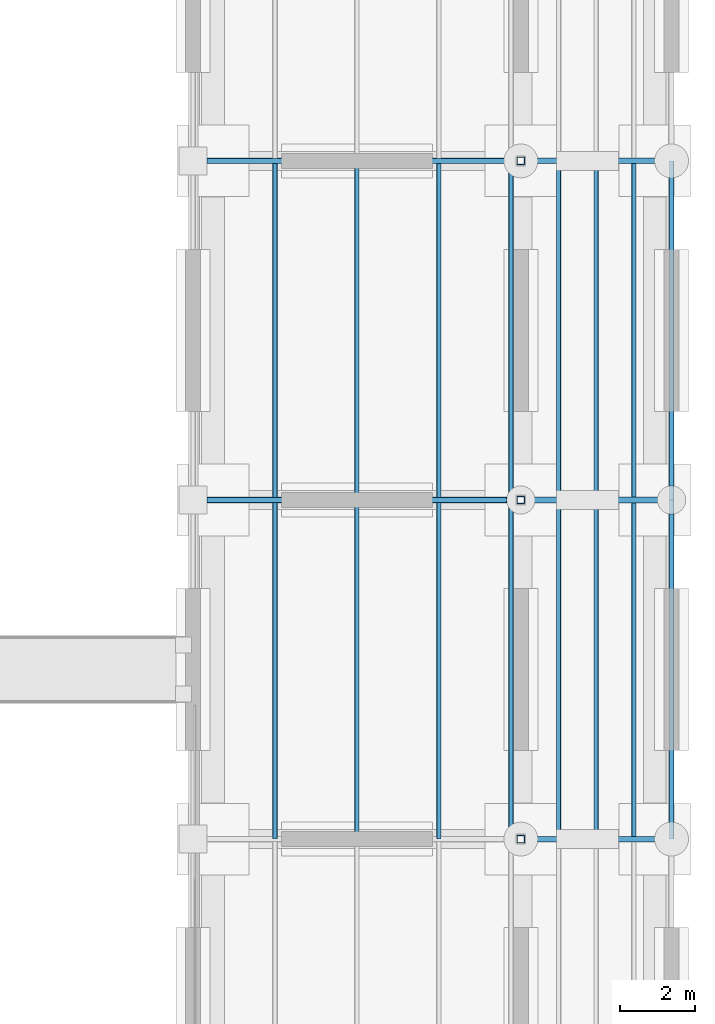
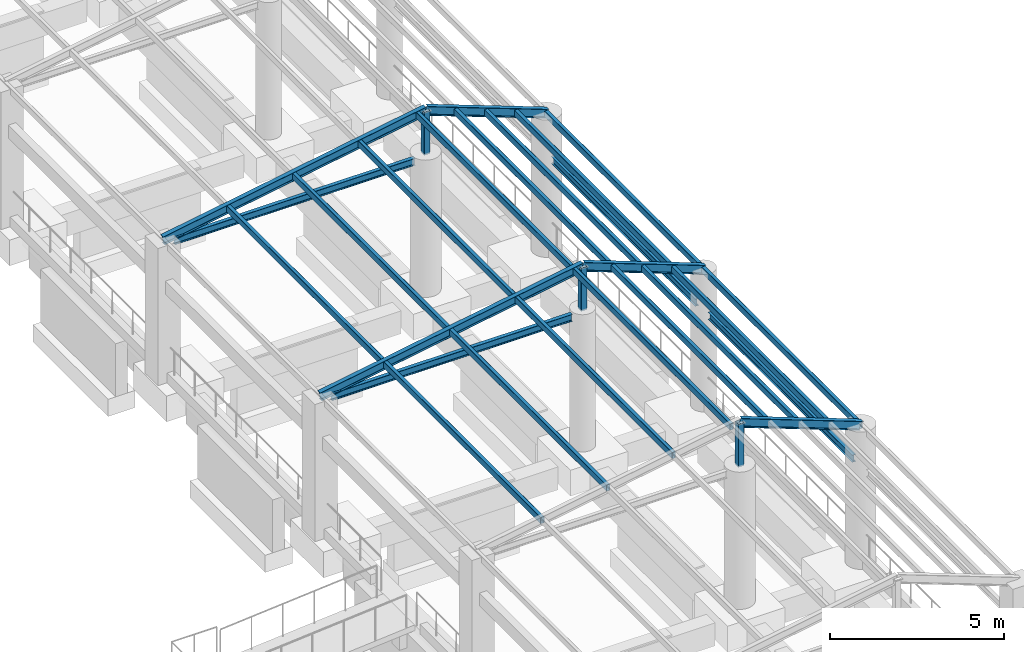
# One storey, part 59 of 111: 24 members, 4 beams.
"""IFC4 building model written with IfcOpenShell, lengths in metres."""

from ifc_helpers import new_model, si_unit, direction, frame, origin, origin_2d, place, context, subcontext, project, spatial, hollow_rectangle, i_section, extrude, material, material_profile, profile_set, type_object, element, save


model = new_model("IFC4")

# Units and contexts
model_context = context("Model", 3, precision=1e-05, world=origin(), true_north=direction((0.0, 1.0)))
body_context = subcontext(model_context, "Body", "Model", "MODEL_VIEW")
ifc_project = project(units=[si_unit("LENGTHUNIT", "METRE"), si_unit("AREAUNIT", "SQUARE_METRE"), si_unit("VOLUMEUNIT", "CUBIC_METRE"), si_unit("PLANEANGLEUNIT", "RADIAN"), si_unit("MASSUNIT", "GRAM", prefix="KILO")], contexts=[model_context])

# Site, building, storey
site_placement = place(None, origin())
site = spatial("IfcSite", under=ifc_project, at=site_placement, CompositionType="ELEMENT")
building_placement = place(site_placement, origin())
building = spatial("IfcBuilding", under=site, at=building_placement, Name="Canglan Escarpment Cableway Terminal", CompositionType="ELEMENT")
storey_placement = place(building_placement, frame((0.0, 0.0, 4.800048828125)))
storey = spatial("IfcBuildingStorey", under=building, at=storey_placement, Name="L01", CompositionType="ELEMENT", Elevation=4.800048828125)

# Beams
ifc_material = material(Name="Steel Q355B", Category="steel")
ifc_material_profile_1 = material_profile(ifc_material, i_section(OverallWidth=0.125, OverallDepth=0.25, WebThickness=0.006103515625, FlangeThickness=0.009033203125, FilletRadius=0.011962890625, at=origin_2d()), Name="HN 250x125x6x9")
ifc_profile_set_1 = profile_set([ifc_material_profile_1], Name="Steel Q355B")
beam_type_1 = type_object("IfcBeamType", Name="BM-CANOPY-HN250", PredefinedType="BEAM", material=ifc_profile_set_1)
for number, where, z_axis, x_axis, name in (
    (1, (167.675048828125, 52.0, 4.599853515625), (1.0, 0.0, 0.0), (0.0, 1.0, 0.0), "Colonnade tie beam RF-B3"),
    (2, (167.675048828125, 61.0, 4.599853515625), (1.0, 0.0, 0.0), (0.0, 1.0, 0.0), "Colonnade tie beam RF-B3"),
):
    element("IfcBeam", number, at=place(storey_placement, frame(where, z_axis=z_axis, x_axis=x_axis)), inside=storey, type_object=beam_type_1, Name=name, PredefinedType="BEAM", context=body_context, shape_type="SweptSolid", body=[
        extrude(i_section(OverallWidth=0.125, OverallDepth=0.25, WebThickness=0.006103515625, FlangeThickness=0.009033203125, FilletRadius=0.011962890625, at=origin_2d()), origin(), (0.0, 0.0, 1.0), 7.949951171875),
    ])
ifc_material_profile_2 = material_profile(ifc_material, i_section(OverallWidth=0.125, OverallDepth=0.25, WebThickness=0.006103515625, FlangeThickness=0.009033203125, FilletRadius=0.011962890625, at=origin_2d()), Name="HN 250x125x6x9")
ifc_profile_set_2 = profile_set([ifc_material_profile_2], Name="Steel Q355B")
beam_type_2 = type_object("IfcBeamType", Name="LN-HN250", PredefinedType="LINTEL", material=ifc_profile_set_2)
for number, where, z_axis, x_axis, name in (
    (3, (180.0, 43.3701171875, 3.349853515625), (0.0, 1.0, 0.0), (-1.0, 0.0, 0.0), "Classical colonnade architrave lintel beam"),
    (4, (180.0, 52.3701171875, 3.349853515625), (0.0, 1.0, 0.0), (-1.0, 0.0, 0.0), "Classical colonnade architrave lintel beam"),
):
    element("IfcBeam", number, at=place(storey_placement, frame(where, z_axis=z_axis, x_axis=x_axis)), inside=storey, type_object=beam_type_2, Name=name, PredefinedType="LINTEL", context=body_context, shape_type="SweptSolid", body=[
        extrude(i_section(OverallWidth=0.125, OverallDepth=0.25, WebThickness=0.006103515625, FlangeThickness=0.009033203125, FilletRadius=0.011962890625, at=origin_2d()), origin(), (0.0, 0.0, 1.0), 8.259765625),
    ])

# Members
ifc_material_profile_3 = material_profile(ifc_material, i_section(OverallWidth=0.14990234375, OverallDepth=0.300048828125, WebThickness=0.006591796875, FlangeThickness=0.009033203125, FilletRadius=0.012939453125, at=origin_2d()), Name="HN 300x150x6.5x9")
ifc_profile_set_3 = profile_set([ifc_material_profile_3], Name="Steel Q355B")
member_type_1 = type_object("IfcMemberType", Name="MB-COL-RAFT-HN300", PredefinedType="RAFTER", material=ifc_profile_set_3)
member_1_placement = place(storey_placement, frame((176.0, 43.0, 6.25), z_axis=(0.936329177569, 0.0, -0.351123441588), x_axis=(0.0, 1.0, 0.0)))
element("IfcMember", 5, at=member_1_placement, inside=storey, type_object=member_type_1, Name="Colonnade pitched rafter RF-R01", PredefinedType="RAFTER", context=body_context, shape_type="SweptSolid", body=[
    extrude(i_section(OverallWidth=0.14990234375, OverallDepth=0.300048828125, WebThickness=0.006591796875, FlangeThickness=0.009033203125, FilletRadius=0.012939453125, at=origin_2d()), origin(), (0.0, 0.0, 1.0), 4.27197265625),
])
member_2_placement = place(storey_placement, frame((167.300048828125, 52.0, 4.75), z_axis=(0.985459956077, 0.0, 0.169907842574), x_axis=(0.0, 1.0, 0.0)))
element("IfcMember", 6, at=member_2_placement, inside=storey, type_object=member_type_1, Name="Colonnade pitched rafter RF-R01", PredefinedType="RAFTER", context=body_context, shape_type="SweptSolid", body=[
    extrude(i_section(OverallWidth=0.14990234375, OverallDepth=0.300048828125, WebThickness=0.006591796875, FlangeThickness=0.009033203125, FilletRadius=0.012939453125, at=origin_2d()), origin(), (0.0, 0.0, 1.0), 8.828369140625),
])
member_3_placement = place(storey_placement, frame((176.0, 52.0, 6.25), z_axis=(0.936329177569, 0.0, -0.351123441588), x_axis=(0.0, 1.0, 0.0)))
element("IfcMember", 7, at=member_3_placement, inside=storey, type_object=member_type_1, Name="Colonnade pitched rafter RF-R01", PredefinedType="RAFTER", context=body_context, shape_type="SweptSolid", body=[
    extrude(i_section(OverallWidth=0.14990234375, OverallDepth=0.300048828125, WebThickness=0.006591796875, FlangeThickness=0.009033203125, FilletRadius=0.012939453125, at=origin_2d()), origin(), (0.0, 0.0, 1.0), 4.27197265625),
])
member_4_placement = place(storey_placement, frame((167.300048828125, 61.0, 4.75), z_axis=(0.985459956077, 0.0, 0.169907842574), x_axis=(0.0, 1.0, 0.0)))
element("IfcMember", 8, at=member_4_placement, inside=storey, type_object=member_type_1, Name="Colonnade pitched rafter RF-R01", PredefinedType="RAFTER", context=body_context, shape_type="SweptSolid", body=[
    extrude(i_section(OverallWidth=0.14990234375, OverallDepth=0.300048828125, WebThickness=0.006591796875, FlangeThickness=0.009033203125, FilletRadius=0.012939453125, at=origin_2d()), origin(), (0.0, 0.0, 1.0), 8.828369140625),
])
member_5_placement = place(storey_placement, frame((176.0, 61.0, 6.25), z_axis=(0.936329177569, 0.0, -0.351123441588), x_axis=(0.0, 1.0, 0.0)))
element("IfcMember", 9, at=member_5_placement, inside=storey, type_object=member_type_1, Name="Colonnade pitched rafter RF-R01", PredefinedType="RAFTER", context=body_context, shape_type="SweptSolid", body=[
    extrude(i_section(OverallWidth=0.14990234375, OverallDepth=0.300048828125, WebThickness=0.006591796875, FlangeThickness=0.009033203125, FilletRadius=0.012939453125, at=origin_2d()), origin(), (0.0, 0.0, 1.0), 4.27197265625),
])
ifc_material_profile_4 = material_profile(ifc_material, hollow_rectangle(XDim=0.1201171875, YDim=0.219970703125, WallThickness=0.006103515625, InnerFilletRadius=0.006103515625, OuterFilletRadius=0.011962890625, at=origin_2d()), Name="RHS 220x120x6")
ifc_profile_set_4 = profile_set([ifc_material_profile_4], Name="Steel Q355B")
member_type_2 = type_object("IfcMemberType", Name="MB-PAV-PUR-RHS220", PredefinedType="PURLIN", material=ifc_profile_set_4)
for number, where, z_axis, x_axis, name in (
    (10, (169.47509765625, 43.0, 5.094970703125), (0.0, 1.0, 0.0), (-1.0, 0.0, 0.0), "Colonnade canopy purlin PR-03"),
    (11, (169.47509765625, 52.0, 5.094970703125), (0.0, 1.0, 0.0), (-1.0, 0.0, 0.0), "Colonnade canopy purlin PR-03"),
    (12, (171.64990234375, 43.0, 5.469970703125), (0.0, 1.0, 0.0), (-1.0, 0.0, 0.0), "Colonnade canopy purlin PR-03"),
    (13, (171.64990234375, 52.0, 5.469970703125), (0.0, 1.0, 0.0), (-1.0, 0.0, 0.0), "Colonnade canopy purlin PR-03"),
    (14, (173.824951171875, 43.0, 5.844970703125), (0.0, 1.0, 0.0), (-1.0, 0.0, 0.0), "Colonnade canopy purlin PR-03"),
    (15, (173.824951171875, 52.0, 5.844970703125), (0.0, 1.0, 0.0), (-1.0, 0.0, 0.0), "Colonnade canopy purlin PR-03"),
    (16, (175.739013671875, 43.0, 6.175048828125), (0.0, 1.0, 0.0), (-1.0, 0.0, 0.0), "Colonnade canopy purlin PR-03"),
    (17, (175.739013671875, 52.0, 6.175048828125), (0.0, 1.0, 0.0), (-1.0, 0.0, 0.0), "Colonnade canopy purlin PR-03"),
    (18, (177.0, 43.0, 5.844970703125), (0.0, 1.0, 0.0), (-1.0, 0.0, 0.0), "Colonnade canopy purlin PR-03"),
    (19, (177.0, 52.0, 5.844970703125), (0.0, 1.0, 0.0), (-1.0, 0.0, 0.0), "Colonnade canopy purlin PR-03"),
    (20, (178.0, 43.0, 5.469970703125), (0.0, 1.0, 0.0), (-1.0, 0.0, 0.0), "Colonnade canopy purlin PR-03"),
    (21, (178.0, 52.0, 5.469970703125), (0.0, 1.0, 0.0), (-1.0, 0.0, 0.0), "Colonnade canopy purlin PR-03"),
    (22, (179.0, 43.0, 5.094970703125), (0.0, 1.0, 0.0), (-1.0, 0.0, 0.0), "Colonnade canopy purlin PR-03"),
    (23, (179.0, 52.0, 5.094970703125), (0.0, 1.0, 0.0), (-1.0, 0.0, 0.0), "Colonnade canopy purlin PR-03"),
    (24, (180.0, 43.0, 4.719970703125), (0.0, 1.0, 0.0), (-1.0, 0.0, 0.0), "Colonnade canopy purlin PR-03"),
    (25, (180.0, 52.0, 4.719970703125), (0.0, 1.0, 0.0), (-1.0, 0.0, 0.0), "Colonnade canopy purlin PR-03"),
):
    element("IfcMember", number, at=place(storey_placement, frame(where, z_axis=z_axis, x_axis=x_axis)), inside=storey, type_object=member_type_2, Name=name, PredefinedType="PURLIN", context=body_context, shape_type="SweptSolid", body=[
        extrude(hollow_rectangle(XDim=0.1201171875, YDim=0.219970703125, WallThickness=0.006103515625, InnerFilletRadius=0.006103515625, OuterFilletRadius=0.011962890625, at=origin_2d()), origin(), (0.0, 0.0, 1.0), 9.0),
    ])
ifc_material_profile_5 = material_profile(ifc_material, hollow_rectangle(XDim=0.199951171875, YDim=0.199951171875, WallThickness=0.008056640625, InnerFilletRadius=0.008056640625, OuterFilletRadius=0.01611328125, at=origin_2d()), Name="SHS 200x200x8")
ifc_profile_set_5 = profile_set([ifc_material_profile_5], Name="Steel Q355B")
member_type_3 = type_object("IfcMemberType", Name="MB-PRATT-WEB-SHS200", PredefinedType="BRACE", material=ifc_profile_set_5)
for number, where, z_axis, x_axis, name in (
    (26, (176.0, 43.0, 4.75), (0.0, 0.0, 1.0), (1.0, 0.0, 0.0), "Colonnade ridge ROOF TRUSS strut PT-WB1"),
    (27, (176.0, 52.0, 4.75), (0.0, 0.0, 1.0), (1.0, 0.0, 0.0), "Colonnade ridge ROOF TRUSS strut PT-WB1"),
    (28, (176.0, 61.0, 4.75), (0.0, 0.0, 1.0), (1.0, 0.0, 0.0), "Colonnade ridge ROOF TRUSS strut PT-WB1"),
):
    element("IfcMember", number, at=place(storey_placement, frame(where, z_axis=z_axis, x_axis=x_axis)), inside=storey, type_object=member_type_3, Name=name, PredefinedType="BRACE", context=body_context, shape_type="SweptSolid", body=[
        extrude(hollow_rectangle(XDim=0.199951171875, YDim=0.199951171875, WallThickness=0.008056640625, InnerFilletRadius=0.008056640625, OuterFilletRadius=0.01611328125, at=origin_2d()), origin(), (0.0, 0.0, 1.0), 1.5),
    ])

save(model, "model.ifc")
